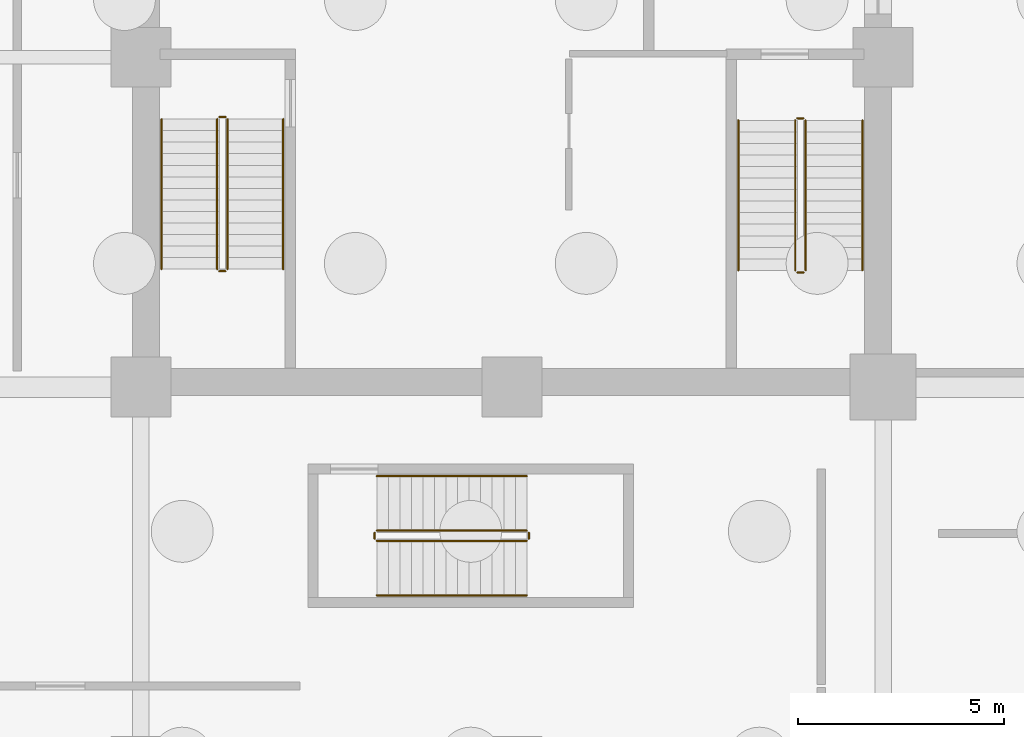
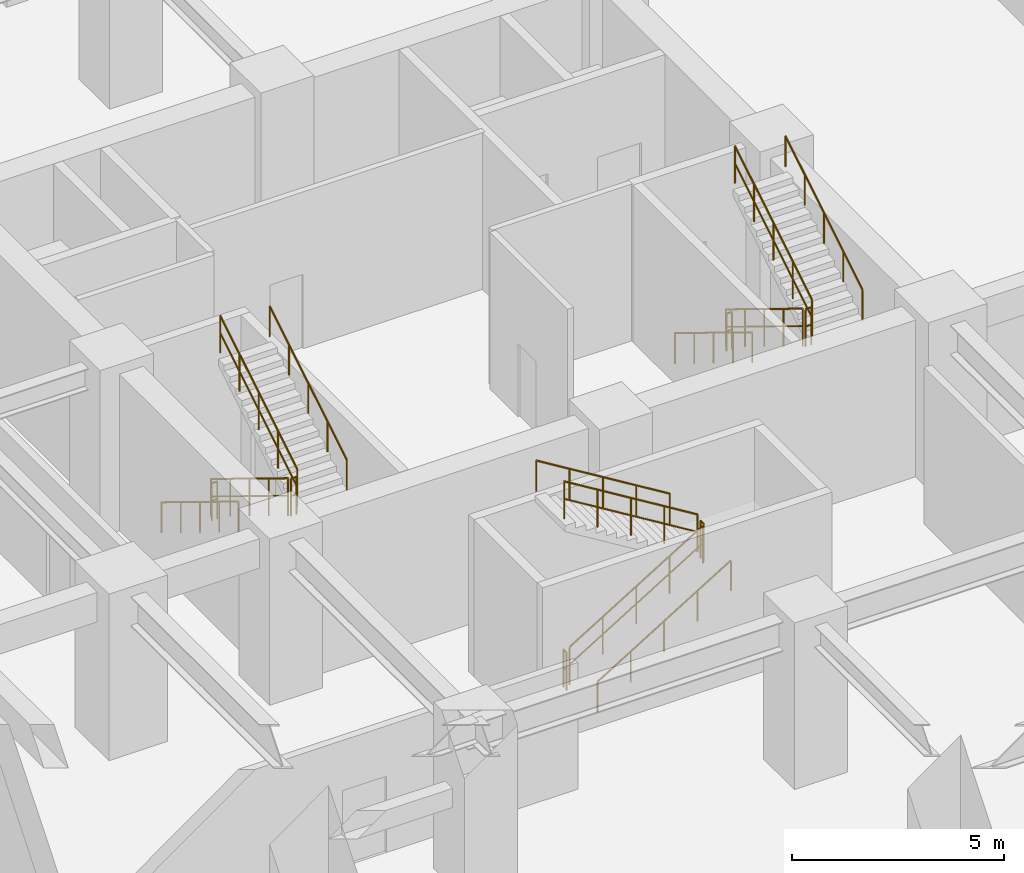
# One storey, part 9 of 11: 18 railings.
"""IFC4 building model written with IfcOpenShell, lengths in metres."""

import ifcopenshell
import ifcopenshell.guid

model = None  # the IFC model being written
_history = None  # IfcOwnerHistory: only IFC2X3 demands one
_inside = {}  # id of a spatial element -> (the spatial element, [elements in it])
_under = {}  # id of a project, library or spatial element -> (it, [spatial elements below it])
_declared = {}  # id of a project -> (the project, [libraries it declares])
_typed = {}  # id of a type object -> (the type object, [elements of that type])
_made_of = {}  # id of a material, layer set ... -> (it, [elements and type objects made of it])


def new_model(schema):
    """Start an empty IFC model of exactly this schema.

    Asked for "IFC4X3", IfcOpenShell would pick the latest addendum, in which some entities
    have other attributes; the version numbers below select the first issue.
    IFC2X3 requires an IfcOwnerHistory on every rooted entity: one is made here for all.
    """
    global model, _history
    if schema == "IFC4X3":
        model = ifcopenshell.file(schema_version=(4, 3, 0, 0))
    else:
        model = ifcopenshell.file(schema=schema)
    _inside.clear()
    _under.clear()
    _declared.clear()
    _typed.clear()
    _made_of.clear()
    _history = None
    if model.schema == "IFC2X3":
        org = make("IfcOrganization", Name="unknown")
        user = make(
            "IfcPersonAndOrganization",
            ThePerson=make("IfcPerson", FamilyName="unknown"),
            TheOrganization=org,
        )
        app = make(
            "IfcApplication",
            ApplicationDeveloper=org,
            Version="unknown",
            ApplicationFullName="unknown",
            ApplicationIdentifier="unknown",
        )
        _history = make(
            "IfcOwnerHistory",
            OwningUser=user,
            OwningApplication=app,
            ChangeAction="ADDED",
            CreationDate=0,
        )
    return model


def make(cls, **values):
    """One entity of the class cls with the attributes given. An attribute that is None is left unset."""
    return model.create_entity(
        cls, **{name: value for name, value in values.items() if value is not None}
    )


def rooted(cls, **values):
    """An entity with a GlobalId (a new one), such as an element, a storey or a relation."""
    return make(cls, GlobalId=ifcopenshell.guid.new(), OwnerHistory=_history, **values)


def si_unit(unit_type, name, prefix=None):
    """IfcSIUnit, for example si_unit("LENGTHUNIT", "METRE", prefix="MILLI")."""
    return make("IfcSIUnit", UnitType=unit_type, Prefix=prefix, Name=name)


def assignment(units):
    """IfcUnitAssignment: the units of a project."""
    return None if units is None else make("IfcUnitAssignment", Units=units)


def point(xyz):
    """IfcCartesianPoint."""
    return None if xyz is None else make("IfcCartesianPoint", Coordinates=xyz)


def direction(xyz):
    """IfcDirection."""
    return None if xyz is None else make("IfcDirection", DirectionRatios=xyz)


def frame(location, z_axis=None, x_axis=None):
    """IfcAxis2Placement3D, a coordinate frame: its origin and axes. An axis left out is left unset."""
    return make(
        "IfcAxis2Placement3D",
        Location=point(location),
        Axis=direction(z_axis),
        RefDirection=direction(x_axis),
    )


def frame_2d(location, x_axis=None):
    """IfcAxis2Placement2D, a coordinate frame in the plane: its origin and x axis."""
    return make(
        "IfcAxis2Placement2D", Location=point(location), RefDirection=direction(x_axis)
    )


def origin():
    """The frame at (0, 0, 0) with its axes left unset."""
    return frame((0.0, 0.0, 0.0))


def origin_2d():
    """The frame at (0, 0) in the plane with its x axis left unset."""
    return frame_2d((0.0, 0.0))


def place(relative_to, where):
    """IfcLocalPlacement: puts the frame where relative to a parent placement (None: the world)."""
    return make(
        "IfcLocalPlacement", PlacementRelTo=relative_to, RelativePlacement=where
    )


def context(
    kind, dimensions, precision=None, world=None, true_north=None, identifier=None
):
    """IfcGeometricRepresentationContext, for example the 3D "Model" context."""
    return make(
        "IfcGeometricRepresentationContext",
        ContextIdentifier=identifier,
        ContextType=kind,
        CoordinateSpaceDimension=dimensions,
        Precision=precision,
        WorldCoordinateSystem=world,
        TrueNorth=true_north,
    )


def subcontext(parent, identifier, kind, view, scale=None):
    """IfcGeometricRepresentationSubContext, for example "Body" below "Model"."""
    return make(
        "IfcGeometricRepresentationSubContext",
        ContextIdentifier=identifier,
        ContextType=kind,
        ParentContext=parent,
        TargetScale=scale,
        TargetView=view,
    )


def project(units=None, contexts=None):
    """IfcProject with its units and contexts."""
    return rooted(
        "IfcProject",
        Name="project",
        RepresentationContexts=contexts,
        UnitsInContext=assignment(units),
    )


def spatial(cls, under=None, at=None, **own):
    """A site, building, storey or space (cls), placed at a placement, below another one or the project."""
    s = rooted(cls, ObjectPlacement=at, **own)
    if under is not None:
        _under.setdefault(under.id(), (under, []))[1].append(s)
    return s


def profile(cls, at=None, kind="AREA", **sizes):
    """A parametric profile (cls). Its sizes go by their IFC names, for example OverallWidth=200.0."""
    return make(cls, ProfileType=kind, Position=at, **sizes)


def circle(**sizes):
    """IfcCircleProfileDef."""
    return profile("IfcCircleProfileDef", **sizes)


def extrude(swept, where, along, depth):
    """IfcExtrudedAreaSolid: the profile swept, set in the frame where, extruded along a direction by depth."""
    return make(
        "IfcExtrudedAreaSolid",
        SweptArea=swept,
        Position=where,
        ExtrudedDirection=direction(along),
        Depth=depth,
    )


def shape(context_of_items, identifier, shape_type, items):
    """IfcShapeRepresentation: the items that make up one representation, for example the "Body"."""
    return make(
        "IfcShapeRepresentation",
        ContextOfItems=context_of_items,
        RepresentationIdentifier=identifier,
        RepresentationType=shape_type,
        Items=items,
    )


def material(Name=None, Category=None):
    """IfcMaterial."""
    return make("IfcMaterial", Name=Name, Category=Category)


def made_of(thing, what):
    """Note that an element or type object is made of a material, layer set ...; save() writes the relation."""
    if what is not None:
        _made_of.setdefault(what.id(), (what, []))[1].append(thing)
    return thing


def type_object(cls, material=None, **own):
    """A type object (cls), such as IfcWallType, which elements share."""
    return made_of(rooted(cls, **own), material)


def element(
    cls,
    number,
    at=None,
    inside=None,
    cuts=None,
    type_object=None,
    material=None,
    context=None,
    identifier="Body",
    shape_type=None,
    held_by="IfcProductDefinitionShape",
    body=None,
    shapes=None,
    **own,
):
    """One element of the class cls, such as IfcWall. Its Tag is "e" and its number.

    at: its placement. inside: the storey or other place that contains it. cuts: it is an
    opening in that element (IfcRelVoidsElement). A single representation is given by context,
    identifier, shape_type and body (its items); several are given by shapes. held_by: the class
    of the entity that holds the representations. save() writes the other relations.
    """
    e = rooted(cls, Tag="e%d" % number, ObjectPlacement=at, **own)
    if body is not None:
        shapes = [shape(context, identifier, shape_type, body)]
    if shapes is not None:
        e.Representation = make(held_by, Representations=shapes)
    if inside is not None:
        _inside.setdefault(inside.id(), (inside, []))[1].append(e)
    if cuts is not None:
        rooted(
            "IfcRelVoidsElement", RelatingBuildingElement=cuts, RelatedOpeningElement=e
        )
    if type_object is not None:
        _typed.setdefault(type_object.id(), (type_object, []))[1].append(e)
    return made_of(e, material)


def aggregate(whole, parts):
    """IfcRelAggregates: a whole, such as a stair, and the parts it consists of."""
    return rooted("IfcRelAggregates", RelatingObject=whole, RelatedObjects=parts)


def save(model, path):
    """Write the relations noted so far, then the file.

    IfcRelAggregates (storeys below a building ...), IfcRelContainedInSpatialStructure (elements
    in a storey), IfcRelDefinesByType, IfcRelAssociatesMaterial and IfcRelDeclares: one each for
    every whole, place, type object, material and project.
    """
    for whole, parts in _under.values():
        aggregate(whole, parts)
    for where, things in _inside.values():
        rooted(
            "IfcRelContainedInSpatialStructure",
            RelatedElements=things,
            RelatingStructure=where,
        )
    for kind, things in _typed.values():
        rooted("IfcRelDefinesByType", RelatedObjects=things, RelatingType=kind)
    for what, things in _made_of.values():
        rooted("IfcRelAssociatesMaterial", RelatedObjects=things, RelatingMaterial=what)
    for by, libraries in _declared.values():
        rooted("IfcRelDeclares", RelatingContext=by, RelatedDefinitions=libraries)
    model.write(path)


model = new_model("IFC4")

# Units and contexts
model_context = context("Model", 3, precision=1e-05, world=origin(), true_north=direction((0.0, 1.0)))
body_context = subcontext(model_context, "Body", "Model", "MODEL_VIEW")
ifc_project = project(units=[si_unit("LENGTHUNIT", "METRE"), si_unit("AREAUNIT", "SQUARE_METRE"), si_unit("VOLUMEUNIT", "CUBIC_METRE"), si_unit("PLANEANGLEUNIT", "RADIAN"), si_unit("MASSUNIT", "GRAM", prefix="KILO")], contexts=[model_context])

# Site, building, storey
site_placement = place(None, origin())
site = spatial("IfcSite", under=ifc_project, at=site_placement, CompositionType="ELEMENT")
building_placement = place(site_placement, origin())
building = spatial("IfcBuilding", under=site, at=building_placement, Name="Torre Montelarca", CompositionType="ELEMENT")
storey_placement = place(building_placement, frame((0.0, 0.0, -9.60009765625)))
storey = spatial("IfcBuildingStorey", under=building, at=storey_placement, Name="B2", CompositionType="ELEMENT", Elevation=-9.60009765625)

# Railings
ifc_material_1 = material(Name="Powder-coated steel ASTM A500 Grade C", Category="steel")
railing_type_1 = type_object("IfcRailingType", Name="RL-GUARD-1100", PredefinedType="BALUSTRADE", material=ifc_material_1)
railing_1_placement = place(storey_placement, frame((10.85009765625, 30.5, 0.171630859375)))
element("IfcRailing", 1, at=railing_1_placement, inside=storey, type_object=railing_type_1, Name="B2 ST1 stair guard 1", PredefinedType="BALUSTRADE", context=body_context, shape_type="SweptSolid", body=[
    extrude(circle(Radius=0.02392578125, at=origin_2d()), frame((0.0, 0.0, 1.076171875), z_axis=(0.0, -0.852850264322, 0.5221555579), x_axis=(1.0, 0.0, 0.0)), (0.0, 0.0, 1.0), 4.267822265625),
    extrude(circle(Radius=0.02099609375, at=origin_2d()), frame((0.0, 0.0, 0.572021484375), z_axis=(0.0, -0.852850264322, 0.5221555579), x_axis=(1.0, 0.0, 0.0)), (0.0, 0.0, 1.0), 4.267822265625),
    extrude(circle(Radius=0.02099609375, at=origin_2d()), origin(), (0.0, 0.0, 1.0), 1.052001953125),
    extrude(circle(Radius=0.02099609375, at=origin_2d()), frame((0.0, -0.909912109375, 0.55712890625)), (0.0, 0.0, 1.0), 1.052001953125),
    extrude(circle(Radius=0.02099609375, at=origin_2d()), frame((0.0, -1.81982421875, 1.1142578125)), (0.0, 0.0, 1.0), 1.052001953125),
    extrude(circle(Radius=0.02099609375, at=origin_2d()), frame((0.0, -2.72998046875, 1.67138671875)), (0.0, 0.0, 1.0), 1.052001953125),
    extrude(circle(Radius=0.02099609375, at=origin_2d()), frame((0.0, -3.639892578125, 2.228515625)), (0.0, 0.0, 1.0), 1.052001953125),
])
railing_2_placement = place(storey_placement, frame((10.89990234375, 26.81005859375, 2.400146484375)))
element("IfcRailing", 2, at=railing_2_placement, inside=storey, type_object=railing_type_1, Name="B2 ST1 stair guard 2", PredefinedType="BALUSTRADE", context=body_context, shape_type="SweptSolid", body=[
    extrude(circle(Radius=0.02392578125, at=origin_2d()), frame((0.0, 0.0, 1.076171875), z_axis=(1.0, 0.0, 0.0), x_axis=(0.0, 1.0, 0.0)), (0.0, 0.0, 1.0), 0.150146484375),
    extrude(circle(Radius=0.02099609375, at=origin_2d()), frame((0.0, 0.0, 0.572021484375), z_axis=(1.0, 0.0, 0.0), x_axis=(0.0, 1.0, 0.0)), (0.0, 0.0, 1.0), 0.150146484375),
    extrude(circle(Radius=0.02099609375, at=origin_2d()), origin(), (0.0, 0.0, 1.0), 1.052001953125),
    extrude(circle(Radius=0.02099609375, at=origin_2d()), frame((0.150146484375, 0.0, 0.0)), (0.0, 0.0, 1.0), 1.052001953125),
])
railing_3_placement = place(storey_placement, frame((11.10009765625, 26.860107421875, 2.571533203125)))
element("IfcRailing", 3, at=railing_3_placement, inside=storey, type_object=railing_type_1, Name="B2 ST1 stair guard 3", PredefinedType="BALUSTRADE", context=body_context, shape_type="SweptSolid", body=[
    extrude(circle(Radius=0.02392578125, at=origin_2d()), frame((0.0, 0.0, 1.076171875), z_axis=(0.0, 0.852850264322, 0.5221555579), x_axis=(-1.0, 0.0, 0.0)), (0.0, 0.0, 1.0), 4.267822265625),
    extrude(circle(Radius=0.02099609375, at=origin_2d()), frame((0.0, 0.0, 0.572021484375), z_axis=(0.0, 0.852850264322, 0.5221555579), x_axis=(-1.0, 0.0, 0.0)), (0.0, 0.0, 1.0), 4.267822265625),
    extrude(circle(Radius=0.02099609375, at=origin_2d()), origin(), (0.0, 0.0, 1.0), 1.052001953125),
    extrude(circle(Radius=0.02099609375, at=origin_2d()), frame((0.0, 0.909912109375, 0.55712890625)), (0.0, 0.0, 1.0), 1.052001953125),
    extrude(circle(Radius=0.02099609375, at=origin_2d()), frame((0.0, 1.81982421875, 1.1142578125)), (0.0, 0.0, 1.0), 1.052001953125),
    extrude(circle(Radius=0.02099609375, at=origin_2d()), frame((0.0, 2.72998046875, 1.67138671875)), (0.0, 0.0, 1.0), 1.052001953125),
    extrude(circle(Radius=0.02099609375, at=origin_2d()), frame((0.0, 3.639892578125, 2.228515625)), (0.0, 0.0, 1.0), 1.052001953125),
])
railing_4_placement = place(storey_placement, frame((10.89990234375, 30.550048828125, 0.0)))
element("IfcRailing", 4, at=railing_4_placement, inside=storey, type_object=railing_type_1, Name="B2 ST1 stair guard 4", PredefinedType="BALUSTRADE", context=body_context, shape_type="SweptSolid", body=[
    extrude(circle(Radius=0.02392578125, at=origin_2d()), frame((0.0, 0.0, 1.076171875), z_axis=(1.0, 0.0, 0.0), x_axis=(0.0, 1.0, 0.0)), (0.0, 0.0, 1.0), 0.150146484375),
    extrude(circle(Radius=0.02099609375, at=origin_2d()), frame((0.0, 0.0, 0.572021484375), z_axis=(1.0, 0.0, 0.0), x_axis=(0.0, 1.0, 0.0)), (0.0, 0.0, 1.0), 0.150146484375),
    extrude(circle(Radius=0.02099609375, at=origin_2d()), origin(), (0.0, 0.0, 1.0), 1.052001953125),
    extrude(circle(Radius=0.02099609375, at=origin_2d()), frame((0.150146484375, 0.0, 0.0)), (0.0, 0.0, 1.0), 1.052001953125),
])
railing_5_placement = place(storey_placement, frame((24.8701171875, 30.469970703125, 0.171630859375)))
element("IfcRailing", 5, at=railing_5_placement, inside=storey, type_object=railing_type_1, Name="B2 ST2 stair guard 1", PredefinedType="BALUSTRADE", context=body_context, shape_type="SweptSolid", body=[
    extrude(circle(Radius=0.02392578125, at=origin_2d()), frame((0.0, 0.0, 1.076171875), z_axis=(0.0, -0.852850264322, 0.5221555579), x_axis=(1.0, 0.0, 0.0)), (0.0, 0.0, 1.0), 4.267822265625),
    extrude(circle(Radius=0.02099609375, at=origin_2d()), frame((0.0, 0.0, 0.572021484375), z_axis=(0.0, -0.852850264322, 0.5221555579), x_axis=(1.0, 0.0, 0.0)), (0.0, 0.0, 1.0), 4.267822265625),
    extrude(circle(Radius=0.02099609375, at=origin_2d()), origin(), (0.0, 0.0, 1.0), 1.052001953125),
    extrude(circle(Radius=0.02099609375, at=origin_2d()), frame((0.0, -0.909912109375, 0.55712890625)), (0.0, 0.0, 1.0), 1.052001953125),
    extrude(circle(Radius=0.02099609375, at=origin_2d()), frame((0.0, -1.81982421875, 1.1142578125)), (0.0, 0.0, 1.0), 1.052001953125),
    extrude(circle(Radius=0.02099609375, at=origin_2d()), frame((0.0, -2.72998046875, 1.67138671875)), (0.0, 0.0, 1.0), 1.052001953125),
    extrude(circle(Radius=0.02099609375, at=origin_2d()), frame((0.0, -3.639892578125, 2.228515625)), (0.0, 0.0, 1.0), 1.052001953125),
])
railing_6_placement = place(storey_placement, frame((24.919921875, 26.780029296875, 2.400146484375)))
element("IfcRailing", 6, at=railing_6_placement, inside=storey, type_object=railing_type_1, Name="B2 ST2 stair guard 2", PredefinedType="BALUSTRADE", context=body_context, shape_type="SweptSolid", body=[
    extrude(circle(Radius=0.02392578125, at=origin_2d()), frame((0.0, 0.0, 1.076171875), z_axis=(1.0, 0.0, 0.0), x_axis=(0.0, 1.0, 0.0)), (0.0, 0.0, 1.0), 0.150146484375),
    extrude(circle(Radius=0.02099609375, at=origin_2d()), frame((0.0, 0.0, 0.572021484375), z_axis=(1.0, 0.0, 0.0), x_axis=(0.0, 1.0, 0.0)), (0.0, 0.0, 1.0), 0.150146484375),
    extrude(circle(Radius=0.02099609375, at=origin_2d()), origin(), (0.0, 0.0, 1.0), 1.052001953125),
    extrude(circle(Radius=0.02099609375, at=origin_2d()), frame((0.150146484375, 0.0, 0.0)), (0.0, 0.0, 1.0), 1.052001953125),
])
railing_7_placement = place(storey_placement, frame((25.1201171875, 26.830078125, 2.571533203125)))
element("IfcRailing", 7, at=railing_7_placement, inside=storey, type_object=railing_type_1, Name="B2 ST2 stair guard 3", PredefinedType="BALUSTRADE", context=body_context, shape_type="SweptSolid", body=[
    extrude(circle(Radius=0.02392578125, at=origin_2d()), frame((0.0, 0.0, 1.076171875), z_axis=(0.0, 0.852850264322, 0.5221555579), x_axis=(-1.0, 0.0, 0.0)), (0.0, 0.0, 1.0), 4.267822265625),
    extrude(circle(Radius=0.02099609375, at=origin_2d()), frame((0.0, 0.0, 0.572021484375), z_axis=(0.0, 0.852850264322, 0.5221555579), x_axis=(-1.0, 0.0, 0.0)), (0.0, 0.0, 1.0), 4.267822265625),
    extrude(circle(Radius=0.02099609375, at=origin_2d()), origin(), (0.0, 0.0, 1.0), 1.052001953125),
    extrude(circle(Radius=0.02099609375, at=origin_2d()), frame((0.0, 0.909912109375, 0.55712890625)), (0.0, 0.0, 1.0), 1.052001953125),
    extrude(circle(Radius=0.02099609375, at=origin_2d()), frame((0.0, 1.81982421875, 1.1142578125)), (0.0, 0.0, 1.0), 1.052001953125),
    extrude(circle(Radius=0.02099609375, at=origin_2d()), frame((0.0, 2.72998046875, 1.67138671875)), (0.0, 0.0, 1.0), 1.052001953125),
    extrude(circle(Radius=0.02099609375, at=origin_2d()), frame((0.0, 3.639892578125, 2.228515625)), (0.0, 0.0, 1.0), 1.052001953125),
])
railing_8_placement = place(storey_placement, frame((24.919921875, 30.52001953125, 0.0)))
element("IfcRailing", 8, at=railing_8_placement, inside=storey, type_object=railing_type_1, Name="B2 ST2 stair guard 4", PredefinedType="BALUSTRADE", context=body_context, shape_type="SweptSolid", body=[
    extrude(circle(Radius=0.02392578125, at=origin_2d()), frame((0.0, 0.0, 1.076171875), z_axis=(1.0, 0.0, 0.0), x_axis=(0.0, 1.0, 0.0)), (0.0, 0.0, 1.0), 0.150146484375),
    extrude(circle(Radius=0.02099609375, at=origin_2d()), frame((0.0, 0.0, 0.572021484375), z_axis=(1.0, 0.0, 0.0), x_axis=(0.0, 1.0, 0.0)), (0.0, 0.0, 1.0), 0.150146484375),
    extrude(circle(Radius=0.02099609375, at=origin_2d()), origin(), (0.0, 0.0, 1.0), 1.052001953125),
    extrude(circle(Radius=0.02099609375, at=origin_2d()), frame((0.150146484375, 0.0, 0.0)), (0.0, 0.0, 1.0), 1.052001953125),
])
railing_9_placement = place(storey_placement, frame((14.719970703125, 20.27001953125, 0.171630859375)))
element("IfcRailing", 9, at=railing_9_placement, inside=storey, type_object=railing_type_1, Name="B2 ST3 stair guard 1", PredefinedType="BALUSTRADE", context=body_context, shape_type="SweptSolid", body=[
    extrude(circle(Radius=0.02392578125, at=origin_2d()), frame((0.0, 0.0, 1.076171875), z_axis=(0.852865859571, 0.0, 0.52213008492), x_axis=(0.0, 1.0, 0.0)), (0.0, 0.0, 1.0), 4.26806640625),
    extrude(circle(Radius=0.02099609375, at=origin_2d()), frame((0.0, 0.0, 0.572021484375), z_axis=(0.852865859571, 0.0, 0.52213008492), x_axis=(0.0, 1.0, 0.0)), (0.0, 0.0, 1.0), 4.26806640625),
    extrude(circle(Radius=0.02099609375, at=origin_2d()), origin(), (0.0, 0.0, 1.0), 1.052001953125),
    extrude(circle(Radius=0.02099609375, at=origin_2d()), frame((0.91015625, 0.0, 0.55712890625)), (0.0, 0.0, 1.0), 1.052001953125),
    extrude(circle(Radius=0.02099609375, at=origin_2d()), frame((1.820068359375, 0.0, 1.1142578125)), (0.0, 0.0, 1.0), 1.052001953125),
    extrude(circle(Radius=0.02099609375, at=origin_2d()), frame((2.72998046875, 0.0, 1.67138671875)), (0.0, 0.0, 1.0), 1.052001953125),
    extrude(circle(Radius=0.02099609375, at=origin_2d()), frame((3.64013671875, 0.0, 2.228515625)), (0.0, 0.0, 1.0), 1.052001953125),
])
railing_10_placement = place(storey_placement, frame((18.409912109375, 20.320068359375, 2.400146484375)))
element("IfcRailing", 10, at=railing_10_placement, inside=storey, type_object=railing_type_1, Name="B2 ST3 stair guard 2", PredefinedType="BALUSTRADE", context=body_context, shape_type="SweptSolid", body=[
    extrude(circle(Radius=0.02392578125, at=origin_2d()), frame((0.0, 0.0, 1.076171875), z_axis=(0.0, 1.0, 0.0), x_axis=(-1.0, 0.0, 0.0)), (0.0, 0.0, 1.0), 0.14990234375),
    extrude(circle(Radius=0.02099609375, at=origin_2d()), frame((0.0, 0.0, 0.572021484375), z_axis=(0.0, 1.0, 0.0), x_axis=(-1.0, 0.0, 0.0)), (0.0, 0.0, 1.0), 0.14990234375),
    extrude(circle(Radius=0.02099609375, at=origin_2d()), origin(), (0.0, 0.0, 1.0), 1.052001953125),
    extrude(circle(Radius=0.02099609375, at=origin_2d()), frame((0.0, 0.14990234375, 0.0)), (0.0, 0.0, 1.0), 1.052001953125),
])
railing_11_placement = place(storey_placement, frame((18.360107421875, 20.52001953125, 2.571533203125)))
element("IfcRailing", 11, at=railing_11_placement, inside=storey, type_object=railing_type_1, Name="B2 ST3 stair guard 3", PredefinedType="BALUSTRADE", context=body_context, shape_type="SweptSolid", body=[
    extrude(circle(Radius=0.02392578125, at=origin_2d()), frame((0.0, 0.0, 1.076171875), z_axis=(-0.852865859571, 0.0, 0.52213008492), x_axis=(0.0, -1.0, 0.0)), (0.0, 0.0, 1.0), 4.26806640625),
    extrude(circle(Radius=0.02099609375, at=origin_2d()), frame((0.0, 0.0, 0.572021484375), z_axis=(-0.852865859571, 0.0, 0.52213008492), x_axis=(0.0, -1.0, 0.0)), (0.0, 0.0, 1.0), 4.26806640625),
    extrude(circle(Radius=0.02099609375, at=origin_2d()), origin(), (0.0, 0.0, 1.0), 1.052001953125),
    extrude(circle(Radius=0.02099609375, at=origin_2d()), frame((-0.91015625, 0.0, 0.55712890625)), (0.0, 0.0, 1.0), 1.052001953125),
    extrude(circle(Radius=0.02099609375, at=origin_2d()), frame((-1.820068359375, 0.0, 1.1142578125)), (0.0, 0.0, 1.0), 1.052001953125),
    extrude(circle(Radius=0.02099609375, at=origin_2d()), frame((-2.72998046875, 0.0, 1.67138671875)), (0.0, 0.0, 1.0), 1.052001953125),
    extrude(circle(Radius=0.02099609375, at=origin_2d()), frame((-3.64013671875, 0.0, 2.228515625)), (0.0, 0.0, 1.0), 1.052001953125),
])
railing_12_placement = place(storey_placement, frame((14.669921875, 20.320068359375, 0.0)))
element("IfcRailing", 12, at=railing_12_placement, inside=storey, type_object=railing_type_1, Name="B2 ST3 stair guard 4", PredefinedType="BALUSTRADE", context=body_context, shape_type="SweptSolid", body=[
    extrude(circle(Radius=0.02392578125, at=origin_2d()), frame((0.0, 0.0, 1.076171875), z_axis=(0.0, 1.0, 0.0), x_axis=(-1.0, 0.0, 0.0)), (0.0, 0.0, 1.0), 0.14990234375),
    extrude(circle(Radius=0.02099609375, at=origin_2d()), frame((0.0, 0.0, 0.572021484375), z_axis=(0.0, 1.0, 0.0), x_axis=(-1.0, 0.0, 0.0)), (0.0, 0.0, 1.0), 0.14990234375),
    extrude(circle(Radius=0.02099609375, at=origin_2d()), origin(), (0.0, 0.0, 1.0), 1.052001953125),
    extrude(circle(Radius=0.02099609375, at=origin_2d()), frame((0.0, 0.14990234375, 0.0)), (0.0, 0.0, 1.0), 1.052001953125),
])
ifc_material_2 = material(Name="Brushed stainless steel AISI 316", Category="steel")
railing_type_2 = type_object("IfcRailingType", Name="RL-HANDRAIL-900", PredefinedType="HANDRAIL", material=ifc_material_2)
railing_13_placement = place(storey_placement, frame((9.5, 30.5, 0.171630859375)))
element("IfcRailing", 13, at=railing_13_placement, inside=storey, type_object=railing_type_2, Name="B2 ST1 stair handrail 1", PredefinedType="HANDRAIL", context=body_context, shape_type="SweptSolid", body=[
    extrude(circle(Radius=0.02392578125, at=origin_2d()), frame((0.0, 0.0, 0.8759765625), z_axis=(0.0, -0.852850264322, 0.5221555579), x_axis=(1.0, 0.0, 0.0)), (0.0, 0.0, 1.0), 4.267822265625),
    extrude(circle(Radius=0.02099609375, at=origin_2d()), origin(), (0.0, 0.0, 1.0), 0.851806640625),
    extrude(circle(Radius=0.02099609375, at=origin_2d()), frame((0.0, -0.909912109375, 0.55712890625)), (0.0, 0.0, 1.0), 0.851806640625),
    extrude(circle(Radius=0.02099609375, at=origin_2d()), frame((0.0, -1.81982421875, 1.1142578125)), (0.0, 0.0, 1.0), 0.851806640625),
    extrude(circle(Radius=0.02099609375, at=origin_2d()), frame((0.0, -2.72998046875, 1.67138671875)), (0.0, 0.0, 1.0), 0.851806640625),
    extrude(circle(Radius=0.02099609375, at=origin_2d()), frame((0.0, -3.639892578125, 2.228515625)), (0.0, 0.0, 1.0), 0.851806640625),
])
railing_14_placement = place(storey_placement, frame((12.449951171875, 26.860107421875, 2.571533203125)))
element("IfcRailing", 14, at=railing_14_placement, inside=storey, type_object=railing_type_2, Name="B2 ST1 stair handrail 2", PredefinedType="HANDRAIL", context=body_context, shape_type="SweptSolid", body=[
    extrude(circle(Radius=0.02392578125, at=origin_2d()), frame((0.0, 0.0, 0.8759765625), z_axis=(0.0, 0.852850264322, 0.5221555579), x_axis=(-1.0, 0.0, 0.0)), (0.0, 0.0, 1.0), 4.267822265625),
    extrude(circle(Radius=0.02099609375, at=origin_2d()), origin(), (0.0, 0.0, 1.0), 0.851806640625),
    extrude(circle(Radius=0.02099609375, at=origin_2d()), frame((0.0, 0.909912109375, 0.55712890625)), (0.0, 0.0, 1.0), 0.851806640625),
    extrude(circle(Radius=0.02099609375, at=origin_2d()), frame((0.0, 1.81982421875, 1.1142578125)), (0.0, 0.0, 1.0), 0.851806640625),
    extrude(circle(Radius=0.02099609375, at=origin_2d()), frame((0.0, 2.72998046875, 1.67138671875)), (0.0, 0.0, 1.0), 0.851806640625),
    extrude(circle(Radius=0.02099609375, at=origin_2d()), frame((0.0, 3.639892578125, 2.228515625)), (0.0, 0.0, 1.0), 0.851806640625),
])
railing_15_placement = place(storey_placement, frame((23.489990234375, 30.469970703125, 0.171630859375)))
element("IfcRailing", 15, at=railing_15_placement, inside=storey, type_object=railing_type_2, Name="B2 ST2 stair handrail 1", PredefinedType="HANDRAIL", context=body_context, shape_type="SweptSolid", body=[
    extrude(circle(Radius=0.02392578125, at=origin_2d()), frame((0.0, 0.0, 0.8759765625), z_axis=(0.0, -0.852850264322, 0.5221555579), x_axis=(1.0, 0.0, 0.0)), (0.0, 0.0, 1.0), 4.267822265625),
    extrude(circle(Radius=0.02099609375, at=origin_2d()), origin(), (0.0, 0.0, 1.0), 0.851806640625),
    extrude(circle(Radius=0.02099609375, at=origin_2d()), frame((0.0, -0.909912109375, 0.55712890625)), (0.0, 0.0, 1.0), 0.851806640625),
    extrude(circle(Radius=0.02099609375, at=origin_2d()), frame((0.0, -1.81982421875, 1.1142578125)), (0.0, 0.0, 1.0), 0.851806640625),
    extrude(circle(Radius=0.02099609375, at=origin_2d()), frame((0.0, -2.72998046875, 1.67138671875)), (0.0, 0.0, 1.0), 0.851806640625),
    extrude(circle(Radius=0.02099609375, at=origin_2d()), frame((0.0, -3.639892578125, 2.228515625)), (0.0, 0.0, 1.0), 0.851806640625),
])
railing_16_placement = place(storey_placement, frame((26.5, 26.830078125, 2.571533203125)))
element("IfcRailing", 16, at=railing_16_placement, inside=storey, type_object=railing_type_2, Name="B2 ST2 stair handrail 2", PredefinedType="HANDRAIL", context=body_context, shape_type="SweptSolid", body=[
    extrude(circle(Radius=0.02392578125, at=origin_2d()), frame((0.0, 0.0, 0.8759765625), z_axis=(0.0, 0.852850264322, 0.5221555579), x_axis=(-1.0, 0.0, 0.0)), (0.0, 0.0, 1.0), 4.267822265625),
    extrude(circle(Radius=0.02099609375, at=origin_2d()), origin(), (0.0, 0.0, 1.0), 0.851806640625),
    extrude(circle(Radius=0.02099609375, at=origin_2d()), frame((0.0, 0.909912109375, 0.55712890625)), (0.0, 0.0, 1.0), 0.851806640625),
    extrude(circle(Radius=0.02099609375, at=origin_2d()), frame((0.0, 1.81982421875, 1.1142578125)), (0.0, 0.0, 1.0), 0.851806640625),
    extrude(circle(Radius=0.02099609375, at=origin_2d()), frame((0.0, 2.72998046875, 1.67138671875)), (0.0, 0.0, 1.0), 0.851806640625),
    extrude(circle(Radius=0.02099609375, at=origin_2d()), frame((0.0, 3.639892578125, 2.228515625)), (0.0, 0.0, 1.0), 0.851806640625),
])
railing_17_placement = place(storey_placement, frame((14.719970703125, 18.949951171875, 0.171630859375)))
element("IfcRailing", 17, at=railing_17_placement, inside=storey, type_object=railing_type_2, Name="B2 ST3 stair handrail 1", PredefinedType="HANDRAIL", context=body_context, shape_type="SweptSolid", body=[
    extrude(circle(Radius=0.02392578125, at=origin_2d()), frame((0.0, 0.0, 0.8759765625), z_axis=(0.852865859571, 0.0, 0.52213008492), x_axis=(0.0, 1.0, 0.0)), (0.0, 0.0, 1.0), 4.26806640625),
    extrude(circle(Radius=0.02099609375, at=origin_2d()), origin(), (0.0, 0.0, 1.0), 0.851806640625),
    extrude(circle(Radius=0.02099609375, at=origin_2d()), frame((0.91015625, 0.0, 0.55712890625)), (0.0, 0.0, 1.0), 0.851806640625),
    extrude(circle(Radius=0.02099609375, at=origin_2d()), frame((1.820068359375, 0.0, 1.1142578125)), (0.0, 0.0, 1.0), 0.851806640625),
    extrude(circle(Radius=0.02099609375, at=origin_2d()), frame((2.72998046875, 0.0, 1.67138671875)), (0.0, 0.0, 1.0), 0.851806640625),
    extrude(circle(Radius=0.02099609375, at=origin_2d()), frame((3.64013671875, 0.0, 2.228515625)), (0.0, 0.0, 1.0), 0.851806640625),
])
railing_18_placement = place(storey_placement, frame((18.360107421875, 21.840087890625, 2.571533203125)))
element("IfcRailing", 18, at=railing_18_placement, inside=storey, type_object=railing_type_2, Name="B2 ST3 stair handrail 2", PredefinedType="HANDRAIL", context=body_context, shape_type="SweptSolid", body=[
    extrude(circle(Radius=0.02392578125, at=origin_2d()), frame((0.0, 0.0, 0.8759765625), z_axis=(-0.852865859571, 0.0, 0.52213008492), x_axis=(0.0, -1.0, 0.0)), (0.0, 0.0, 1.0), 4.26806640625),
    extrude(circle(Radius=0.02099609375, at=origin_2d()), origin(), (0.0, 0.0, 1.0), 0.851806640625),
    extrude(circle(Radius=0.02099609375, at=origin_2d()), frame((-0.91015625, 0.0, 0.55712890625)), (0.0, 0.0, 1.0), 0.851806640625),
    extrude(circle(Radius=0.02099609375, at=origin_2d()), frame((-1.820068359375, 0.0, 1.1142578125)), (0.0, 0.0, 1.0), 0.851806640625),
    extrude(circle(Radius=0.02099609375, at=origin_2d()), frame((-2.72998046875, 0.0, 1.67138671875)), (0.0, 0.0, 1.0), 0.851806640625),
    extrude(circle(Radius=0.02099609375, at=origin_2d()), frame((-3.64013671875, 0.0, 2.228515625)), (0.0, 0.0, 1.0), 0.851806640625),
])

save(model, "model.ifc")
